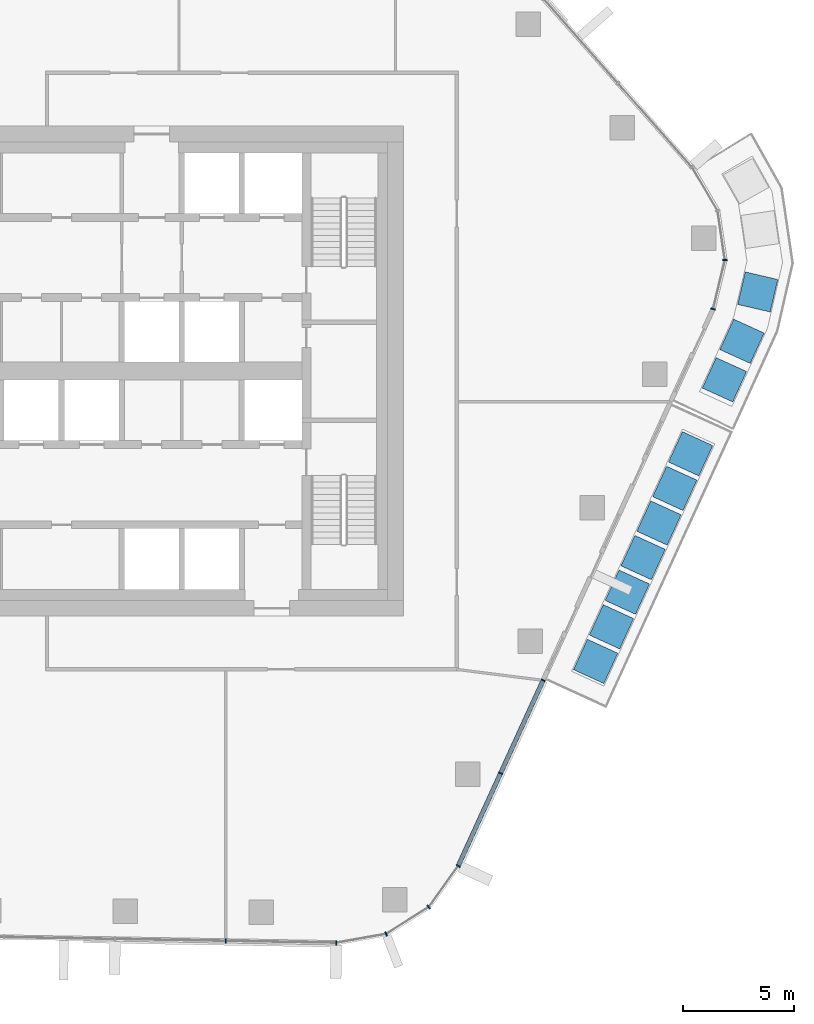
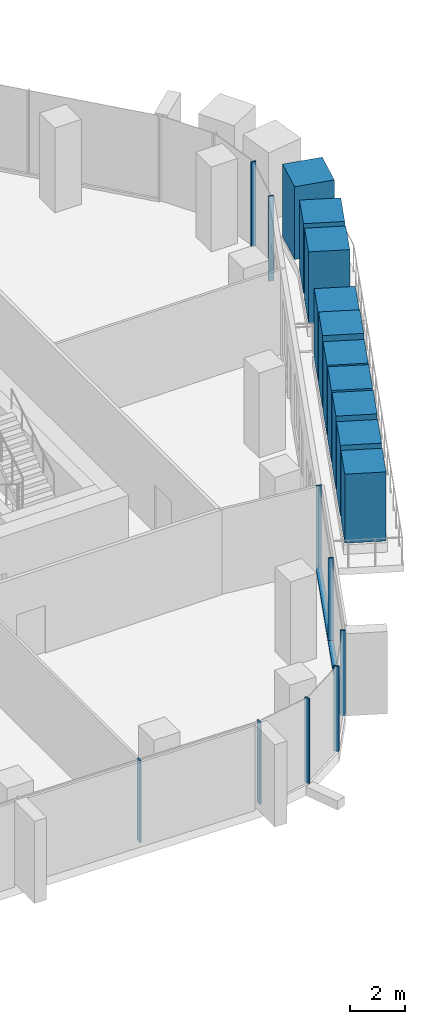
# One storey, part 5 of 21: 20 members, 4 elements without a shape of their own.
"""IFC4 building model written with IfcOpenShell, lengths in metres."""

from ifc_helpers import new_model, si_unit, direction, frame, origin, origin_2d, place, context, subcontext, project, spatial, rectangle, extrude, material, layer, layer_set, material_profile, profile_set, type_object, element, aggregate, save


model = new_model("IFC4")

# Units and contexts
model_context = context("Model", 3, precision=1e-05, world=origin(), true_north=direction((0.0, 1.0)))
body_context = subcontext(model_context, "Body", "Model", "MODEL_VIEW")
ifc_project = project(units=[si_unit("LENGTHUNIT", "METRE"), si_unit("AREAUNIT", "SQUARE_METRE"), si_unit("VOLUMEUNIT", "CUBIC_METRE"), si_unit("PLANEANGLEUNIT", "RADIAN"), si_unit("MASSUNIT", "GRAM", prefix="KILO")], contexts=[model_context])

# Site, building, storey
site_placement = place(None, origin())
site = spatial("IfcSite", under=ifc_project, at=site_placement, CompositionType="ELEMENT")
building_placement = place(site_placement, origin())
building = spatial("IfcBuilding", under=site, at=building_placement, Name="Dongbaek Canopy Tower", CompositionType="ELEMENT")
storey_placement = place(building_placement, frame((0.0, 0.0, 232.800048828125)))
storey = spatial("IfcBuildingStorey", under=building, at=storey_placement, Name="L48", CompositionType="ELEMENT", Elevation=232.800048828125)

# Curtain wall, members
ifc_material_1 = material(Name="Aluminium 6063-T6 pale anodised", Category="aluminium")
ifc_layer = layer(ifc_material_1, 0.199951171875)
ifc_layer_set = layer_set([ifc_layer], Name="CW-1 unitised tower curtain wall")
curtain_wall_type = type_object("IfcCurtainWallType", Name="CW-1 unitised tower curtain wall", PredefinedType="NOTDEFINED", material=ifc_layer_set)
curtain_wall_1_placement = place(storey_placement, origin())
curtain_wall_1 = element("IfcCurtainWall", 1, at=curtain_wall_1_placement, inside=storey, type_object=curtain_wall_type, Name="CW-1 curtain wall K0.1", PredefinedType="NOTDEFINED")
ifc_material_2 = material(Name="Aluminium 6063-T6 pale anodised", Category="aluminium")
ifc_material_profile_1 = material_profile(ifc_material_2, rectangle(XDim=0.199951171875, YDim=0.06005859375, at=origin_2d()), Name="CW-1 mullion 60 x 200")
ifc_profile_set_1 = profile_set([ifc_material_profile_1], Name="Aluminium 6063-T6 pale anodised")
member_type_1 = type_object("IfcMemberType", Name="CW-1 mullion 60 x 200", PredefinedType="MULLION", material=ifc_profile_set_1)
member_1_placement = place(storey_placement, frame((27.916259765625, 2.78759765625, 0.0), z_axis=(0.0, 0.0, 1.0), x_axis=(0.972013930306, -0.23492321999, 0.0)))
member_1 = element("IfcMember", 2, at=member_1_placement, type_object=member_type_1, Name="CW-1 mullion K0.1.1", PredefinedType="MULLION", context=body_context, shape_type="SweptSolid", body=[
    extrude(rectangle(XDim=0.199951171875, YDim=0.06005859375, at=origin_2d()), origin(), (0.0, 0.0, 1.0), 3.75),
])
member_2_placement = place(storey_placement, frame((28.447509765625, 4.9853515625, 0.0), z_axis=(0.0, 0.0, 1.0), x_axis=(0.998982572587, -0.045097889837, 0.0)))
member_2 = element("IfcMember", 3, at=member_2_placement, type_object=member_type_1, Name="CW-1 mullion K0.1.2", PredefinedType="MULLION", context=body_context, shape_type="SweptSolid", body=[
    extrude(rectangle(XDim=0.199951171875, YDim=0.06005859375, at=origin_2d()), origin(), (0.0, 0.0, 1.0), 3.75),
])
aggregate(curtain_wall_1, [member_1, member_2])

curtain_wall_2_placement = place(storey_placement, origin())
curtain_wall_2 = element("IfcCurtainWall", 4, at=curtain_wall_2_placement, inside=storey, type_object=curtain_wall_type, Name="CW-1 curtain wall F4.1", PredefinedType="NOTDEFINED")
member_3_placement = place(storey_placement, frame((6.025634765625, -25.595703125, 0.119873046875), z_axis=(0.0, 0.0, 1.0), x_axis=(-0.016993149743, -0.999855606006, 0.0)))
member_3 = element("IfcMember", 5, at=member_3_placement, type_object=member_type_1, Name="CW-1 mullion F4.1.4", PredefinedType="MULLION", context=body_context, shape_type="SweptSolid", body=[
    extrude(rectangle(XDim=0.199951171875, YDim=0.06005859375, at=origin_2d()), origin(), (0.0, 0.0, 1.0), 3.630126953125),
])
member_4_placement = place(storey_placement, frame((10.990234375, -25.68017578125, 0.119873046875), z_axis=(0.0, 0.0, 1.0), x_axis=(-0.016993149743, -0.999855606006, 0.0)))
member_4 = element("IfcMember", 6, at=member_4_placement, type_object=member_type_1, Name="CW-1 mullion F4.1.5", PredefinedType="MULLION", context=body_context, shape_type="SweptSolid", body=[
    extrude(rectangle(XDim=0.199951171875, YDim=0.06005859375, at=origin_2d()), origin(), (0.0, 0.0, 1.0), 3.630126953125),
])
aggregate(curtain_wall_2, [member_3, member_4])

curtain_wall_3_placement = place(storey_placement, origin())
curtain_wall_3 = element("IfcCurtainWall", 7, at=curtain_wall_3_placement, inside=storey, type_object=curtain_wall_type, Name="CW-1 curtain wall K5.1", PredefinedType="NOTDEFINED")
member_5_placement = place(storey_placement, frame((13.228759765625, -25.28173828125, 0.0), z_axis=(0.0, 0.0, 1.0), x_axis=(0.360882644319, -0.93261123574, 0.0)))
member_5 = element("IfcMember", 8, at=member_5_placement, type_object=member_type_1, Name="CW-1 mullion K5.1.2", PredefinedType="MULLION", context=body_context, shape_type="SweptSolid", body=[
    extrude(rectangle(XDim=0.199951171875, YDim=0.06005859375, at=origin_2d()), origin(), (0.0, 0.0, 1.0), 3.75),
])
member_6_placement = place(storey_placement, frame((15.143798828125, -24.074951171875, 0.0), z_axis=(0.0, 0.0, 1.0), x_axis=(0.685596122753, -0.727982112737, 0.0)))
member_6 = element("IfcMember", 9, at=member_6_placement, type_object=member_type_1, Name="CW-1 mullion K5.1.3", PredefinedType="MULLION", context=body_context, shape_type="SweptSolid", body=[
    extrude(rectangle(XDim=0.199951171875, YDim=0.06005859375, at=origin_2d()), origin(), (0.0, 0.0, 1.0), 3.75),
])
member_7_placement = place(storey_placement, frame((16.46923828125, -22.227294921875, 0.0), z_axis=(0.0, 0.0, 1.0), x_axis=(0.812557400562, -0.582881180681, 0.0)))
member_7 = element("IfcMember", 10, at=member_7_placement, type_object=member_type_1, Name="CW-1 mullion K5.1.4", PredefinedType="MULLION", context=body_context, shape_type="SweptSolid", body=[
    extrude(rectangle(XDim=0.199951171875, YDim=0.06005859375, at=origin_2d()), origin(), (0.0, 0.0, 1.0), 3.75),
])
aggregate(curtain_wall_3, [member_5, member_6, member_7])

curtain_wall_4_placement = place(storey_placement, origin())
curtain_wall_4 = element("IfcCurtainWall", 11, at=curtain_wall_4_placement, inside=storey, type_object=curtain_wall_type, Name="CW-1 curtain wall F5.1", PredefinedType="NOTDEFINED")
member_8_placement = place(storey_placement, frame((18.374267578125, -18.064208984375, 0.119873046875), z_axis=(0.0, 0.0, 1.0), x_axis=(0.909313119282, -0.416112546196, 0.0)))
member_8 = element("IfcMember", 12, at=member_8_placement, type_object=member_type_1, Name="CW-1 mullion F5.1.2", PredefinedType="MULLION", context=body_context, shape_type="SweptSolid", body=[
    extrude(rectangle(XDim=0.199951171875, YDim=0.06005859375, at=origin_2d()), origin(), (0.0, 0.0, 1.0), 3.630126953125),
])
member_9_placement = place(storey_placement, frame((20.283447265625, -13.89208984375, 0.119873046875), z_axis=(0.0, 0.0, 1.0), x_axis=(0.909313119282, -0.416112546196, 0.0)))
member_9 = element("IfcMember", 13, at=member_9_placement, type_object=member_type_1, Name="CW-1 mullion F5.1.3", PredefinedType="MULLION", context=body_context, shape_type="SweptSolid", body=[
    extrude(rectangle(XDim=0.199951171875, YDim=0.06005859375, at=origin_2d()), origin(), (0.0, 0.0, 1.0), 3.630126953125),
])
ifc_material_3 = material(Name="Aluminium 6063-T6 pale anodised", Category="aluminium")
ifc_material_profile_2 = material_profile(ifc_material_3, rectangle(XDim=0.199951171875, YDim=0.1201171875, at=origin_2d()), Name="CW-1 transom 120 x 200")
ifc_profile_set_2 = profile_set([ifc_material_profile_2], Name="Aluminium 6063-T6 pale anodised")
member_type_2 = type_object("IfcMemberType", Name="CW-1 transom 120 x 200", PredefinedType="USERDEFINED", material=ifc_profile_set_2)
member_10_placement = place(storey_placement, frame((16.46923828125, -22.227294921875, 0.06005859375), z_axis=(0.41610529079, 0.909316439407, 0.0), x_axis=(-0.909316439407, 0.41610529079, 0.0)))
member_10 = element("IfcMember", 14, at=member_10_placement, type_object=member_type_2, Name="CW-1 transom F5.1.1", ObjectType="TRANSOM", PredefinedType="USERDEFINED", context=body_context, shape_type="SweptSolid", body=[
    extrude(rectangle(XDim=0.199951171875, YDim=0.1201171875, at=origin_2d()), origin(), (0.0, 0.0, 1.0), 9.16650390625),
])
aggregate(curtain_wall_4, [member_8, member_9, member_10])

# Members
ifc_material_4 = material(Name="Concrete C40/50 planter mass with planting", Category="concrete")
ifc_material_profile_3 = material_profile(ifc_material_4, rectangle(XDim=1.5, YDim=1.5, at=origin_2d()), Name="Terrace PLANTER shrub mass 1500 x 1500")
ifc_profile_set_3 = profile_set([ifc_material_profile_3], Name="Concrete C40/50 planter mass with planting")
member_type_3 = type_object("IfcMemberType", Name="Terrace PLANTER shrub mass 1500 x 1500", PredefinedType="USERDEFINED", material=ifc_profile_set_3)
member_11_placement = place(storey_placement, frame((22.641357421875, -13.04150390625, 0.419921875), z_axis=(0.0, 0.0, 1.0), x_axis=(0.909313119282, -0.416112546196, 0.0)))
element("IfcMember", 15, at=member_11_placement, inside=storey, type_object=member_type_3, Name="Planter shrubs L48 2.1", ObjectType="PLANTER", PredefinedType="USERDEFINED", context=body_context, shape_type="SweptSolid", body=[
    extrude(rectangle(XDim=1.5, YDim=1.5, at=origin_2d()), origin(), (0.0, 0.0, 1.0), 3.050048828125),
])
member_12_placement = place(storey_placement, frame((23.3525390625, -11.487060546875, 0.419921875), z_axis=(0.0, 0.0, 1.0), x_axis=(0.909313119282, -0.416112546196, 0.0)))
element("IfcMember", 16, at=member_12_placement, inside=storey, type_object=member_type_3, Name="Planter shrubs L48 2.2", ObjectType="PLANTER", PredefinedType="USERDEFINED", context=body_context, shape_type="SweptSolid", body=[
    extrude(rectangle(XDim=1.5, YDim=1.5, at=origin_2d()), origin(), (0.0, 0.0, 1.0), 3.130126953125),
])
member_13_placement = place(storey_placement, frame((24.063720703125, -9.932861328125, 0.419921875), z_axis=(0.0, 0.0, 1.0), x_axis=(0.909313119282, -0.416112546196, 0.0)))
element("IfcMember", 17, at=member_13_placement, inside=storey, type_object=member_type_3, Name="Planter shrubs L48 2.3", ObjectType="PLANTER", PredefinedType="USERDEFINED", context=body_context, shape_type="SweptSolid", body=[
    extrude(rectangle(XDim=1.5, YDim=1.5, at=origin_2d()), origin(), (0.0, 0.0, 1.0), 3.22998046875),
])
member_14_placement = place(storey_placement, frame((24.77490234375, -8.378662109375, 0.419921875), z_axis=(0.0, 0.0, 1.0), x_axis=(0.909313119282, -0.416112546196, 0.0)))
element("IfcMember", 18, at=member_14_placement, inside=storey, type_object=member_type_3, Name="Planter shrubs L48 2.4", ObjectType="PLANTER", PredefinedType="USERDEFINED", context=body_context, shape_type="SweptSolid", body=[
    extrude(rectangle(XDim=1.5, YDim=1.5, at=origin_2d()), origin(), (0.0, 0.0, 1.0), 3.169921875),
])
member_15_placement = place(storey_placement, frame((25.486083984375, -6.824462890625, 0.419921875), z_axis=(0.0, 0.0, 1.0), x_axis=(0.909313119282, -0.416112546196, 0.0)))
element("IfcMember", 19, at=member_15_placement, inside=storey, type_object=member_type_3, Name="Planter shrubs L48 2.5", ObjectType="PLANTER", PredefinedType="USERDEFINED", context=body_context, shape_type="SweptSolid", body=[
    extrude(rectangle(XDim=1.5, YDim=1.5, at=origin_2d()), origin(), (0.0, 0.0, 1.0), 3.090087890625),
])
member_16_placement = place(storey_placement, frame((26.197509765625, -5.270263671875, 0.419921875), z_axis=(0.0, 0.0, 1.0), x_axis=(0.909313119282, -0.416112546196, 0.0)))
element("IfcMember", 20, at=member_16_placement, inside=storey, type_object=member_type_3, Name="Planter shrubs L48 2.6", ObjectType="PLANTER", PredefinedType="USERDEFINED", context=body_context, shape_type="SweptSolid", body=[
    extrude(rectangle(XDim=1.5, YDim=1.5, at=origin_2d()), origin(), (0.0, 0.0, 1.0), 3.2099609375),
])
member_17_placement = place(storey_placement, frame((26.90869140625, -3.716064453125, 0.419921875), z_axis=(0.0, 0.0, 1.0), x_axis=(0.909313119282, -0.416112546196, 0.0)))
element("IfcMember", 21, at=member_17_placement, inside=storey, type_object=member_type_3, Name="Planter shrubs L48 2.7", ObjectType="PLANTER", PredefinedType="USERDEFINED", context=body_context, shape_type="SweptSolid", body=[
    extrude(rectangle(XDim=1.5, YDim=1.5, at=origin_2d()), origin(), (0.0, 0.0, 1.0), 3.050048828125),
])
member_18_placement = place(storey_placement, frame((28.427490234375, -0.39208984375, 0.419921875), z_axis=(0.0, 0.0, 1.0), x_axis=(0.910163508944, -0.414249184655, 0.0)))
element("IfcMember", 22, at=member_18_placement, inside=storey, type_object=member_type_3, Name="Planter shrubs L48 3.1", ObjectType="PLANTER", PredefinedType="USERDEFINED", context=body_context, shape_type="SweptSolid", body=[
    extrude(rectangle(XDim=1.5, YDim=1.5, at=origin_2d()), origin(), (0.0, 0.0, 1.0), 3.169921875),
])
member_19_placement = place(storey_placement, frame((29.214599609375, 1.33740234375, 0.419921875), z_axis=(0.0, 0.0, 1.0), x_axis=(0.910163508944, -0.414249184655, 0.0)))
element("IfcMember", 23, at=member_19_placement, inside=storey, type_object=member_type_3, Name="Planter shrubs L48 3.2", ObjectType="PLANTER", PredefinedType="USERDEFINED", context=body_context, shape_type="SweptSolid", body=[
    extrude(rectangle(XDim=1.5, YDim=1.5, at=origin_2d()), origin(), (0.0, 0.0, 1.0), 3.090087890625),
])
member_20_placement = place(storey_placement, frame((29.9228515625, 3.55322265625, 0.419921875), z_axis=(0.0, 0.0, 1.0), x_axis=(0.973950605829, -0.226760264168, 0.0)))
element("IfcMember", 24, at=member_20_placement, inside=storey, type_object=member_type_3, Name="Planter shrubs L48 3.3", ObjectType="PLANTER", PredefinedType="USERDEFINED", context=body_context, shape_type="SweptSolid", body=[
    extrude(rectangle(XDim=1.5, YDim=1.5, at=origin_2d()), origin(), (0.0, 0.0, 1.0), 3.2099609375),
])

save(model, "model.ifc")
